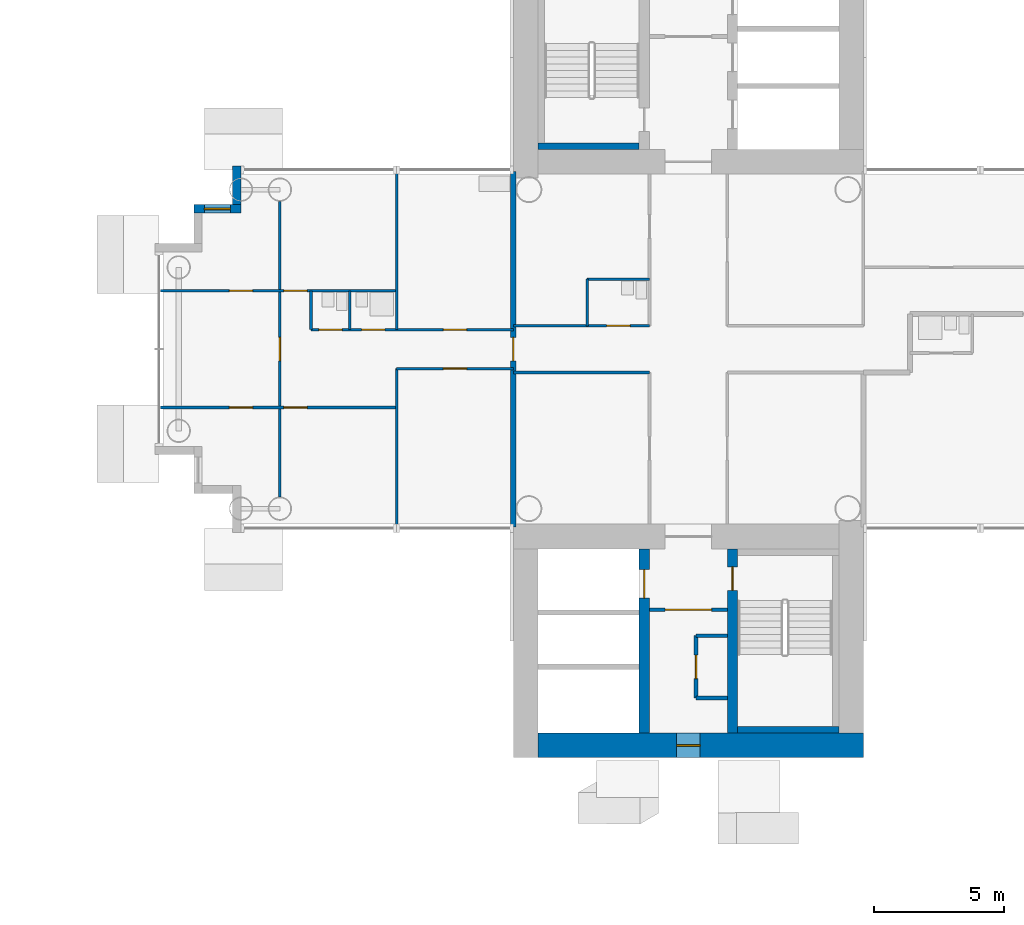
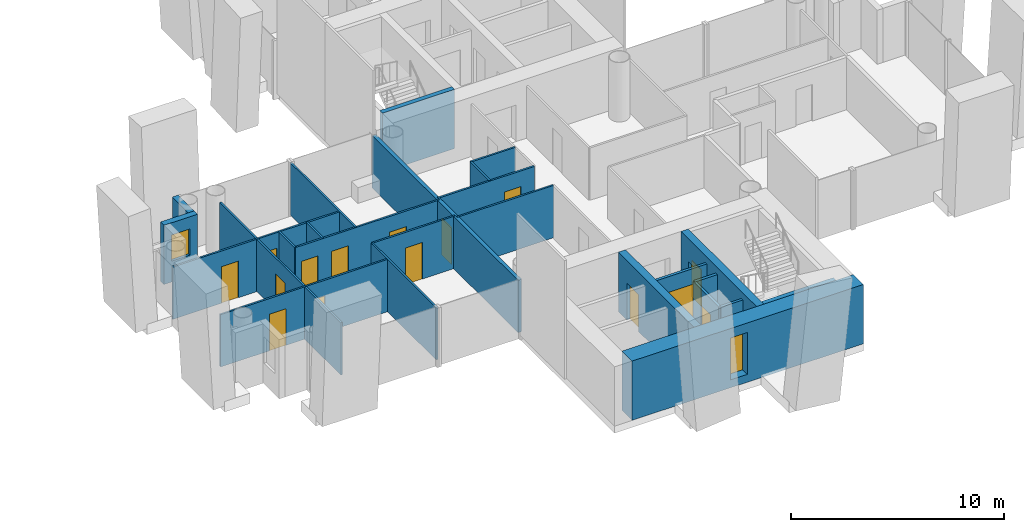
# One storey, part 12 of 21: 25 walls, 15 doors, 2 windows, 17 openings.
"""IFC4 building model written with IfcOpenShell, lengths in metres."""

from ifc_helpers import new_model, si_unit, direction, frame, frame_2d, origin, place, context, subcontext, project, spatial, rectangle, extrude, material, layer, layer_set, type_object, element, fill, save


model = new_model("IFC4")

# Units and contexts
model_context = context("Model", 3, precision=1e-05, world=origin(), true_north=direction((0.0, 1.0)))
body_context = subcontext(model_context, "Body", "Model", "MODEL_VIEW")
ifc_project = project(units=[si_unit("LENGTHUNIT", "METRE"), si_unit("AREAUNIT", "SQUARE_METRE"), si_unit("VOLUMEUNIT", "CUBIC_METRE"), si_unit("PLANEANGLEUNIT", "RADIAN"), si_unit("MASSUNIT", "GRAM", prefix="KILO")], contexts=[model_context])

# Site, building, storey
site_placement = place(None, origin())
site = spatial("IfcSite", under=ifc_project, at=site_placement, CompositionType="ELEMENT")
building_placement = place(site_placement, origin())
building = spatial("IfcBuilding", under=site, at=building_placement, Name="Ipe Terrace Towers", CompositionType="ELEMENT")
storey_placement = place(building_placement, frame((0.0, 0.0, 114.0)))
storey = spatial("IfcBuildingStorey", under=building, at=storey_placement, Name="L31", CompositionType="ELEMENT", Elevation=114.0)

# Wall
ifc_material_1 = material(Name="Concrete C40/50 with buff precast cladding", Category="concrete")
ifc_layer_1 = layer(ifc_material_1, 0.320068359375)
ifc_layer_set_1 = layer_set([ifc_layer_1], Name="BUFF CLADDING WALL 320")
wall_type_1 = type_object("IfcWallType", Name="BUFF CLADDING WALL 320", PredefinedType="STANDARD", material=ifc_layer_set_1)
wall_1_placement = place(storey_placement, frame((18.590087890625, 7.070068359375, -0.300048828125), z_axis=(0.0, 0.0, 1.0), x_axis=(0.0, -1.0, 0.0)))
element("IfcWall", 1, at=wall_1_placement, inside=storey, type_object=wall_type_1, Name="T2-W-L31-30a wall", PredefinedType="STANDARD", context=body_context, shape_type="SweptSolid", body=[
    extrude(rectangle(XDim=1.5, YDim=0.320068359375, at=frame_2d((0.75, 0.0))), origin(), (0.0, 0.0, 1.0), 3.400146484375),
])

# Wall, opening, window
wall_2_placement = place(storey_placement, frame((18.75, 5.409912109375, -0.300048828125), z_axis=(0.0, 0.0, 1.0), x_axis=(-1.0, 0.0, 0.0)))
wall_2 = element("IfcWall", 2, at=wall_2_placement, inside=storey, type_object=wall_type_1, Name="T2-W-L31-31a wall", PredefinedType="STANDARD", context=body_context, shape_type="SweptSolid", body=[
    extrude(rectangle(XDim=1.820068359375, YDim=0.320068359375, at=frame_2d((0.91015625, 0.0))), origin(), (0.0, 0.0, 1.0), 3.400146484375),
])
opening_1_placement = place(wall_2_placement, frame((0.409912109375, 0.0, 1.199951171875)))
opening_1 = element("IfcOpeningElement", 3, at=opening_1_placement, cuts=wall_2, Name="Opening T2-W-05-L31-02", PredefinedType="OPENING", context=body_context, shape_type="SweptSolid", body=[
    extrude(rectangle(XDim=1.0, YDim=1.5, at=frame_2d((0.5, 0.75))), frame((0.0, 0.169921875, 0.0), z_axis=(0.0, -1.0, 0.0), x_axis=(1.0, 0.0, 0.0)), (0.0, 0.0, 1.0), 0.340087890625),
])
ifc_material_2 = material(Name="Glass, clear laminated", Category="glass")
window_type_1 = type_object("IfcWindowType", Name="DWELLING WINDOW 1000 x 1500", PartitioningType="SINGLE_PANEL", PredefinedType="WINDOW", material=ifc_material_2)
window_1_placement = place(opening_1_placement, origin())
window_1 = element("IfcWindow", 4, at=window_1_placement, inside=storey, type_object=window_type_1, Name="W-05 window", OverallHeight=1.5, OverallWidth=1.0, PartitioningType="SINGLE_PANEL", PredefinedType="WINDOW", context=body_context, shape_type="SweptSolid", body=[
    extrude(rectangle(XDim=1.0, YDim=1.5, at=frame_2d((0.5, 0.75))), frame((0.0, 0.030029296875, 0.0), z_axis=(0.0, -1.0, 0.0), x_axis=(1.0, 0.0, 0.0)), (0.0, 0.0, 1.0), 0.06005859375),
])
fill(opening_1, window_1)

# Wall, openings, doors
ifc_material_3 = material(Name="Gypsum board partition", Category="plasterboard")
ifc_layer_2 = layer(ifc_material_3, 0.10009765625)
ifc_layer_set_2 = layer_set([ifc_layer_2], Name="Gypsum board partition 100 mm")
wall_type_2 = type_object("IfcWallType", Name="Gypsum board partition 100 mm", PredefinedType="PARTITIONING", material=ifc_layer_set_2)
wall_3_placement = place(storey_placement, frame((24.75, -2.25, 0.0), z_axis=(0.0, 0.0, 1.0), x_axis=(-1.0, 0.0, 0.0)))
wall_3 = element("IfcWall", 5, at=wall_3_placement, inside=storey, type_object=wall_type_2, Name="Gypsum board partition T2 L31 W01", PredefinedType="PARTITIONING", context=body_context, shape_type="SweptSolid", body=[
    extrude(rectangle(XDim=9.10009765625, YDim=0.10009765625, at=frame_2d((4.550048828125, 0.0))), origin(), (0.0, 0.0, 1.0), 3.0),
])
opening_2_placement = place(wall_3_placement, frame((3.449951171875, 0.0, 0.0)))
opening_2 = element("IfcOpeningElement", 6, at=opening_2_placement, cuts=wall_3, Name="Opening T2-Z2F-11", PredefinedType="OPENING", context=body_context, shape_type="SweptSolid", body=[
    extrude(rectangle(XDim=0.89990234375, YDim=2.10009765625, at=frame_2d((0.449951171875, 1.050048828125))), frame((0.0, 0.06005859375, 0.0), z_axis=(0.0, -1.0, 0.0), x_axis=(1.0, 0.0, 0.0)), (0.0, 0.0, 1.0), 0.1201171875),
])
opening_3_placement = place(wall_3_placement, frame((5.550048828125, 0.0, 0.0)))
opening_3 = element("IfcOpeningElement", 7, at=opening_3_placement, cuts=wall_3, Name="Opening T2-Z2F-14", PredefinedType="OPENING", context=body_context, shape_type="SweptSolid", body=[
    extrude(rectangle(XDim=0.89990234375, YDim=2.10009765625, at=frame_2d((0.449951171875, 1.050048828125))), frame((0.0, 0.06005859375, 0.0), z_axis=(0.0, -1.0, 0.0), x_axis=(1.0, 0.0, 0.0)), (0.0, 0.0, 1.0), 0.1201171875),
])
ifc_material_4 = material(Name="Timber door leaf", Category="wood")
door_type_1 = type_object("IfcDoorType", Name="Bedroom door 900 x 2100", OperationType="NOTDEFINED", PredefinedType="DOOR", material=ifc_material_4)
door_1_placement = place(opening_2_placement, origin())
door_1 = element("IfcDoor", 8, at=door_1_placement, inside=storey, type_object=door_type_1, Name="Bedroom door T2-Z2F-11", OperationType="SINGLE_SWING_RIGHT", OverallHeight=2.10009765625, OverallWidth=0.89990234375, PredefinedType="DOOR", context=body_context, shape_type="SweptSolid", body=[
    extrude(rectangle(XDim=0.89990234375, YDim=2.10009765625, at=frame_2d((0.449951171875, 1.050048828125))), frame((0.0, 0.02490234375, 0.0), z_axis=(0.0, -1.0, 0.0), x_axis=(1.0, 0.0, 0.0)), (0.0, 0.0, 1.0), 0.050048828125),
])
fill(opening_2, door_1)
door_2_placement = place(opening_3_placement, origin())
door_2 = element("IfcDoor", 9, at=door_2_placement, inside=storey, type_object=door_type_1, Name="Bedroom door T2-Z2F-14", OperationType="SINGLE_SWING_LEFT", OverallHeight=2.10009765625, OverallWidth=0.89990234375, PredefinedType="DOOR", context=body_context, shape_type="SweptSolid", body=[
    extrude(rectangle(XDim=0.89990234375, YDim=2.10009765625, at=frame_2d((0.449951171875, 1.050048828125))), frame((0.0, 0.02490234375, 0.0), z_axis=(0.0, -1.0, 0.0), x_axis=(1.0, 0.0, 0.0)), (0.0, 0.0, 1.0), 0.050048828125),
])
fill(opening_3, door_2)

# Wall
wall_4_placement = place(storey_placement, frame((34.5, -0.89990234375, 0.0), z_axis=(0.0, 0.0, 1.0), x_axis=(-1.0, 0.0, 0.0)))
element("IfcWall", 10, at=wall_4_placement, inside=storey, type_object=wall_type_2, Name="Gypsum board partition T2 L31 W03", PredefinedType="PARTITIONING", context=body_context, shape_type="SweptSolid", body=[
    extrude(rectangle(XDim=5.25, YDim=0.10009765625, at=frame_2d((2.625, 0.0))), origin(), (0.0, 0.0, 1.0), 3.0),
])

# Wall, opening, door
wall_5_placement = place(storey_placement, frame((29.25, -0.75, 0.0), z_axis=(0.0, 0.0, 1.0), x_axis=(-1.0, 0.0, 0.0)))
wall_5 = element("IfcWall", 11, at=wall_5_placement, inside=storey, type_object=wall_type_2, Name="Gypsum board partition T2 L31 W05", PredefinedType="PARTITIONING", context=body_context, shape_type="SweptSolid", body=[
    extrude(rectangle(XDim=4.5, YDim=0.10009765625, at=frame_2d((2.25, 0.0))), origin(), (0.0, 0.0, 1.0), 3.0),
])
opening_4_placement = place(wall_5_placement, frame((1.800048828125, 0.0, 0.0)))
opening_4 = element("IfcOpeningElement", 12, at=opening_4_placement, cuts=wall_5, Name="Opening T2-Z2F-06", PredefinedType="OPENING", context=body_context, shape_type="SweptSolid", body=[
    extrude(rectangle(XDim=0.89990234375, YDim=2.10009765625, at=frame_2d((0.449951171875, 1.050048828125))), frame((0.0, 0.06005859375, 0.0), z_axis=(0.0, -1.0, 0.0), x_axis=(1.0, 0.0, 0.0)), (0.0, 0.0, 1.0), 0.1201171875),
])
ifc_material_5 = material(Name="Timber door leaf", Category="wood")
door_type_2 = type_object("IfcDoorType", Name="Lounge door 900 x 2100", OperationType="NOTDEFINED", PredefinedType="DOOR", material=ifc_material_5)
door_3_placement = place(opening_4_placement, origin())
door_3 = element("IfcDoor", 13, at=door_3_placement, inside=storey, type_object=door_type_2, Name="Lounge door T2-Z2F-06", OperationType="SINGLE_SWING_LEFT", OverallHeight=2.10009765625, OverallWidth=0.89990234375, PredefinedType="DOOR", context=body_context, shape_type="SweptSolid", body=[
    extrude(rectangle(XDim=0.89990234375, YDim=2.10009765625, at=frame_2d((0.449951171875, 1.050048828125))), frame((0.0, 0.02490234375, 0.0), z_axis=(0.0, -1.0, 0.0), x_axis=(1.0, 0.0, 0.0)), (0.0, 0.0, 1.0), 0.050048828125),
])
fill(opening_4, door_3)

# Wall, openings, doors
wall_6_placement = place(storey_placement, frame((29.25, 0.75, 0.0), z_axis=(0.0, 0.0, 1.0), x_axis=(-1.0, 0.0, 0.0)))
wall_6 = element("IfcWall", 14, at=wall_6_placement, inside=storey, type_object=wall_type_2, Name="Gypsum board partition T2 L31 W07", PredefinedType="PARTITIONING", context=body_context, shape_type="SweptSolid", body=[
    extrude(rectangle(XDim=7.800048828125, YDim=0.10009765625, at=frame_2d((3.89990234375, 0.0))), origin(), (0.0, 0.0, 1.0), 3.0),
])
opening_5_placement = place(wall_6_placement, frame((1.800048828125, 0.0, 0.0)))
opening_5 = element("IfcOpeningElement", 15, at=opening_5_placement, cuts=wall_6, Name="Opening T2-Z2F-07", PredefinedType="OPENING", context=body_context, shape_type="SweptSolid", body=[
    extrude(rectangle(XDim=0.89990234375, YDim=2.10009765625, at=frame_2d((0.449951171875, 1.050048828125))), frame((0.0, 0.06005859375, 0.0), z_axis=(0.0, -1.0, 0.0), x_axis=(1.0, 0.0, 0.0)), (0.0, 0.0, 1.0), 0.1201171875),
])
opening_6_placement = place(wall_6_placement, frame((4.949951171875, 0.0, 0.0)))
opening_6 = element("IfcOpeningElement", 16, at=opening_6_placement, cuts=wall_6, Name="Opening T2-Z2F-09", PredefinedType="OPENING", context=body_context, shape_type="SweptSolid", body=[
    extrude(rectangle(XDim=0.89990234375, YDim=2.10009765625, at=frame_2d((0.449951171875, 1.050048828125))), frame((0.0, 0.06005859375, 0.0), z_axis=(0.0, -1.0, 0.0), x_axis=(1.0, 0.0, 0.0)), (0.0, 0.0, 1.0), 0.1201171875),
])
opening_7_placement = place(wall_6_placement, frame((6.60009765625, 0.0, 0.0)))
opening_7 = element("IfcOpeningElement", 17, at=opening_7_placement, cuts=wall_6, Name="Opening T2-Z2F-10", PredefinedType="OPENING", context=body_context, shape_type="SweptSolid", body=[
    extrude(rectangle(XDim=0.89990234375, YDim=2.10009765625, at=frame_2d((0.449951171875, 1.050048828125))), frame((0.0, 0.06005859375, 0.0), z_axis=(0.0, -1.0, 0.0), x_axis=(1.0, 0.0, 0.0)), (0.0, 0.0, 1.0), 0.1201171875),
])
ifc_material_6 = material(Name="Timber door leaf", Category="wood")
door_type_3 = type_object("IfcDoorType", Name="Bathroom door 900 x 2100", OperationType="NOTDEFINED", PredefinedType="DOOR", material=ifc_material_6)
door_4_placement = place(opening_6_placement, origin())
door_4 = element("IfcDoor", 18, at=door_4_placement, inside=storey, type_object=door_type_3, Name="Bathroom door T2-Z2F-09", OperationType="SINGLE_SWING_RIGHT", OverallHeight=2.10009765625, OverallWidth=0.89990234375, PredefinedType="DOOR", context=body_context, shape_type="SweptSolid", body=[
    extrude(rectangle(XDim=0.89990234375, YDim=2.10009765625, at=frame_2d((0.449951171875, 1.050048828125))), frame((0.0, 0.02490234375, 0.0), z_axis=(0.0, -1.0, 0.0), x_axis=(1.0, 0.0, 0.0)), (0.0, 0.0, 1.0), 0.050048828125),
])
fill(opening_6, door_4)
door_5_placement = place(opening_7_placement, origin())
door_5 = element("IfcDoor", 19, at=door_5_placement, inside=storey, type_object=door_type_3, Name="Bathroom door T2-Z2F-10", OperationType="SINGLE_SWING_RIGHT", OverallHeight=2.10009765625, OverallWidth=0.89990234375, PredefinedType="DOOR", context=body_context, shape_type="SweptSolid", body=[
    extrude(rectangle(XDim=0.89990234375, YDim=2.10009765625, at=frame_2d((0.449951171875, 1.050048828125))), frame((0.0, 0.02490234375, 0.0), z_axis=(0.0, -1.0, 0.0), x_axis=(1.0, 0.0, 0.0)), (0.0, 0.0, 1.0), 0.050048828125),
])
fill(opening_7, door_5)
door_6_placement = place(opening_5_placement, origin())
door_6 = element("IfcDoor", 20, at=door_6_placement, inside=storey, type_object=door_type_2, Name="Lounge door T2-Z2F-07", OperationType="SINGLE_SWING_LEFT", OverallHeight=2.10009765625, OverallWidth=0.89990234375, PredefinedType="DOOR", context=body_context, shape_type="SweptSolid", body=[
    extrude(rectangle(XDim=0.89990234375, YDim=2.10009765625, at=frame_2d((0.449951171875, 1.050048828125))), frame((0.0, 0.02490234375, 0.0), z_axis=(0.0, -1.0, 0.0), x_axis=(1.0, 0.0, 0.0)), (0.0, 0.0, 1.0), 0.050048828125),
])
fill(opening_5, door_6)

# Wall, opening, door
wall_7_placement = place(storey_placement, frame((34.5, 0.89990234375, 0.0), z_axis=(0.0, 0.0, 1.0), x_axis=(-1.0, 0.0, 0.0)))
wall_7 = element("IfcWall", 21, at=wall_7_placement, inside=storey, type_object=wall_type_2, Name="Gypsum board partition T2 L31 W09", PredefinedType="PARTITIONING", context=body_context, shape_type="SweptSolid", body=[
    extrude(rectangle(XDim=5.25, YDim=0.10009765625, at=frame_2d((2.625, 0.0))), origin(), (0.0, 0.0, 1.0), 3.0),
])
opening_8_placement = place(wall_7_placement, frame((0.75, 0.0, 0.0)))
opening_8 = element("IfcOpeningElement", 22, at=opening_8_placement, cuts=wall_7, Name="Opening T2-Z2F-01", PredefinedType="OPENING", context=body_context, shape_type="SweptSolid", body=[
    extrude(rectangle(XDim=0.89990234375, YDim=2.10009765625, at=frame_2d((0.449951171875, 1.050048828125))), frame((0.0, 0.06005859375, 0.0), z_axis=(0.0, -1.0, 0.0), x_axis=(1.0, 0.0, 0.0)), (0.0, 0.0, 1.0), 0.1201171875),
])
door_7_placement = place(opening_8_placement, origin())
door_7 = element("IfcDoor", 23, at=door_7_placement, inside=storey, type_object=door_type_3, Name="Bathroom door T2-Z2F-01", OperationType="SINGLE_SWING_LEFT", OverallHeight=2.10009765625, OverallWidth=0.89990234375, PredefinedType="DOOR", context=body_context, shape_type="SweptSolid", body=[
    extrude(rectangle(XDim=0.89990234375, YDim=2.10009765625, at=frame_2d((0.449951171875, 1.050048828125))), frame((0.0, 0.02490234375, 0.0), z_axis=(0.0, -1.0, 0.0), x_axis=(1.0, 0.0, 0.0)), (0.0, 0.0, 1.0), 0.050048828125),
])
fill(opening_8, door_7)

# Wall, openings, doors
wall_8_placement = place(storey_placement, frame((24.75, 2.25, 0.0), z_axis=(0.0, 0.0, 1.0), x_axis=(-1.0, 0.0, 0.0)))
wall_8 = element("IfcWall", 24, at=wall_8_placement, inside=storey, type_object=wall_type_2, Name="Gypsum board partition T2 L31 W11", PredefinedType="PARTITIONING", context=body_context, shape_type="SweptSolid", body=[
    extrude(rectangle(XDim=9.10009765625, YDim=0.10009765625, at=frame_2d((4.550048828125, 0.0))), origin(), (0.0, 0.0, 1.0), 3.0),
])
opening_9_placement = place(wall_8_placement, frame((3.449951171875, 0.0, 0.0)))
opening_9 = element("IfcOpeningElement", 25, at=opening_9_placement, cuts=wall_8, Name="Opening T2-Z2F-12", PredefinedType="OPENING", context=body_context, shape_type="SweptSolid", body=[
    extrude(rectangle(XDim=0.89990234375, YDim=2.10009765625, at=frame_2d((0.449951171875, 1.050048828125))), frame((0.0, 0.06005859375, 0.0), z_axis=(0.0, -1.0, 0.0), x_axis=(1.0, 0.0, 0.0)), (0.0, 0.0, 1.0), 0.1201171875),
])
opening_10_placement = place(wall_8_placement, frame((5.550048828125, 0.0, 0.0)))
opening_10 = element("IfcOpeningElement", 26, at=opening_10_placement, cuts=wall_8, Name="Opening T2-Z2F-15", PredefinedType="OPENING", context=body_context, shape_type="SweptSolid", body=[
    extrude(rectangle(XDim=0.89990234375, YDim=2.10009765625, at=frame_2d((0.449951171875, 1.050048828125))), frame((0.0, 0.06005859375, 0.0), z_axis=(0.0, -1.0, 0.0), x_axis=(1.0, 0.0, 0.0)), (0.0, 0.0, 1.0), 0.1201171875),
])
door_8_placement = place(opening_9_placement, origin())
door_8 = element("IfcDoor", 27, at=door_8_placement, inside=storey, type_object=door_type_1, Name="Bedroom door T2-Z2F-12", OperationType="SINGLE_SWING_LEFT", OverallHeight=2.10009765625, OverallWidth=0.89990234375, PredefinedType="DOOR", context=body_context, shape_type="SweptSolid", body=[
    extrude(rectangle(XDim=0.89990234375, YDim=2.10009765625, at=frame_2d((0.449951171875, 1.050048828125))), frame((0.0, 0.02490234375, 0.0), z_axis=(0.0, -1.0, 0.0), x_axis=(1.0, 0.0, 0.0)), (0.0, 0.0, 1.0), 0.050048828125),
])
fill(opening_9, door_8)
door_9_placement = place(opening_10_placement, origin())
door_9 = element("IfcDoor", 28, at=door_9_placement, inside=storey, type_object=door_type_1, Name="Bedroom door T2-Z2F-15", OperationType="SINGLE_SWING_RIGHT", OverallHeight=2.10009765625, OverallWidth=0.89990234375, PredefinedType="DOOR", context=body_context, shape_type="SweptSolid", body=[
    extrude(rectangle(XDim=0.89990234375, YDim=2.10009765625, at=frame_2d((0.449951171875, 1.050048828125))), frame((0.0, 0.02490234375, 0.0), z_axis=(0.0, -1.0, 0.0), x_axis=(1.0, 0.0, 0.0)), (0.0, 0.0, 1.0), 0.050048828125),
])
fill(opening_10, door_9)

# Walls
wall_9_placement = place(storey_placement, frame((34.5, 2.699951171875, 0.0), z_axis=(0.0, 0.0, 1.0), x_axis=(-1.0, 0.0, 0.0)))
element("IfcWall", 29, at=wall_9_placement, inside=storey, type_object=wall_type_2, Name="Gypsum board partition T2 L31 W12", PredefinedType="PARTITIONING", context=body_context, shape_type="SweptSolid", body=[
    extrude(rectangle(XDim=2.39990234375, YDim=0.10009765625, at=frame_2d((1.199951171875, 0.0))), origin(), (0.0, 0.0, 1.0), 3.0),
])
wall_10_placement = place(storey_placement, frame((32.10009765625, 0.89990234375, 0.0), z_axis=(0.0, 0.0, 1.0), x_axis=(0.0, 1.0, 0.0)))
element("IfcWall", 30, at=wall_10_placement, inside=storey, type_object=wall_type_2, Name="Gypsum board partition T2 L31 W33", PredefinedType="PARTITIONING", context=body_context, shape_type="SweptSolid", body=[
    extrude(rectangle(XDim=1.800048828125, YDim=0.10009765625, at=frame_2d((0.89990234375, 0.0))), origin(), (0.0, 0.0, 1.0), 3.0),
])
for number, where, z_axis, x_axis, name in (
    (31, (24.75, -6.85009765625, 0.0), (0.0, 0.0, 1.0), (0.0, 1.0, 0.0), "Gypsum board partition T2 L31 W35"),
    (32, (24.75, 0.75, 0.0), (0.0, 0.0, 1.0), (0.0, 1.0, 0.0), "Gypsum board partition T2 L31 W36"),
):
    element("IfcWall", number, at=place(storey_placement, frame(where, z_axis=z_axis, x_axis=x_axis)), inside=storey, type_object=wall_type_2, Name=name, PredefinedType="PARTITIONING", context=body_context, shape_type="SweptSolid", body=[
        extrude(rectangle(XDim=6.10009765625, YDim=0.10009765625, at=frame_2d((3.050048828125, 0.0))), origin(), (0.0, 0.0, 1.0), 3.0),
    ])
for number, where, z_axis, x_axis, name in (
    (33, (22.949951171875, 0.75, 0.0), (0.0, 0.0, 1.0), (0.0, 1.0, 0.0), "Gypsum board partition T2 L31 W37"),
    (34, (21.449951171875, 0.75, 0.0), (0.0, 0.0, 1.0), (0.0, 1.0, 0.0), "Gypsum board partition T2 L31 W38"),
):
    element("IfcWall", number, at=place(storey_placement, frame(where, z_axis=z_axis, x_axis=x_axis)), inside=storey, type_object=wall_type_2, Name=name, PredefinedType="PARTITIONING", context=body_context, shape_type="SweptSolid", body=[
        extrude(rectangle(XDim=1.5, YDim=0.10009765625, at=frame_2d((0.75, 0.0))), origin(), (0.0, 0.0, 1.0), 3.0),
    ])

# Wall, opening, door
wall_11_placement = place(storey_placement, frame((20.25, -5.699951171875, 0.0), z_axis=(0.0, 0.0, 1.0), x_axis=(0.0, 1.0, 0.0)))
wall_11 = element("IfcWall", 35, at=wall_11_placement, inside=storey, type_object=wall_type_2, Name="Gypsum board partition T2 L31 W39", PredefinedType="PARTITIONING", context=body_context, shape_type="SweptSolid", body=[
    extrude(rectangle(XDim=11.39990234375, YDim=0.10009765625, at=frame_2d((5.699951171875, 0.0))), origin(), (0.0, 0.0, 1.0), 3.0),
])
opening_11_placement = place(wall_11_placement, frame((5.25, 0.0, 0.0)))
opening_11 = element("IfcOpeningElement", 36, at=opening_11_placement, cuts=wall_11, Name="Opening T2-Z2F-13", PredefinedType="OPENING", context=body_context, shape_type="SweptSolid", body=[
    extrude(rectangle(XDim=0.89990234375, YDim=2.10009765625, at=frame_2d((0.449951171875, 1.050048828125))), frame((0.0, 0.06005859375, 0.0), z_axis=(0.0, -1.0, 0.0), x_axis=(1.0, 0.0, 0.0)), (0.0, 0.0, 1.0), 0.1201171875),
])
door_10_placement = place(opening_11_placement, origin())
door_10 = element("IfcDoor", 37, at=door_10_placement, inside=storey, type_object=door_type_2, Name="Lounge door T2-Z2F-13", OperationType="SINGLE_SWING_LEFT", OverallHeight=2.10009765625, OverallWidth=0.89990234375, PredefinedType="DOOR", context=body_context, shape_type="SweptSolid", body=[
    extrude(rectangle(XDim=0.89990234375, YDim=2.10009765625, at=frame_2d((0.449951171875, 1.050048828125))), frame((0.0, 0.02490234375, 0.0), z_axis=(0.0, -1.0, 0.0), x_axis=(1.0, 0.0, 0.0)), (0.0, 0.0, 1.0), 0.050048828125),
])
fill(opening_11, door_10)

ifc_material_7 = material(Name="Gypsum board partition", Category="plasterboard")
ifc_layer_3 = layer(ifc_material_7, 0.14990234375)
ifc_layer_set_3 = layer_set([ifc_layer_3], Name="Gypsum board partition 150 mm")
wall_type_3 = type_object("IfcWallType", Name="Gypsum board partition 150 mm", PredefinedType="PARTITIONING", material=ifc_layer_set_3)
wall_12_placement = place(storey_placement, frame((34.5, -10.050048828125, 0.0), z_axis=(0.0, 0.0, 1.0), x_axis=(1.0, 0.0, 0.0)))
wall_12 = element("IfcWall", 38, at=wall_12_placement, inside=storey, type_object=wall_type_3, Name="Gypsum board partition T2 L31 t2c2-lobby-wall", PredefinedType="PARTITIONING", context=body_context, shape_type="SweptSolid", body=[
    extrude(rectangle(XDim=3.0, YDim=0.14990234375, at=frame_2d((1.5, 0.0))), origin(), (0.0, 0.0, 1.0), 3.0),
])
opening_12_placement = place(wall_12_placement, frame((0.60009765625, 0.0, 0.0)))
opening_12 = element("IfcOpeningElement", 39, at=opening_12_placement, cuts=wall_12, Name="Opening T2C2-VD", PredefinedType="OPENING", context=body_context, shape_type="SweptSolid", body=[
    extrude(rectangle(XDim=1.800048828125, YDim=2.10009765625, at=frame_2d((0.89990234375, 1.050048828125))), frame((0.0, 0.0849609375, 0.0), z_axis=(0.0, -1.0, 0.0), x_axis=(1.0, 0.0, 0.0)), (0.0, 0.0, 1.0), 0.169921875),
])
ifc_material_8 = material(Name="Fire-rated timber door leaf", Category="wood")
door_type_4 = type_object("IfcDoorType", Name="Lobby door 1800 x 2100 FD60", OperationType="NOTDEFINED", PredefinedType="DOOR", material=ifc_material_8)
door_11_placement = place(opening_12_placement, origin())
door_11 = element("IfcDoor", 40, at=door_11_placement, inside=storey, type_object=door_type_4, Name="Lobby door T2C2-VD", OperationType="SINGLE_SWING_LEFT", OverallHeight=2.10009765625, OverallWidth=1.800048828125, PredefinedType="DOOR", context=body_context, shape_type="SweptSolid", body=[
    extrude(rectangle(XDim=1.800048828125, YDim=2.10009765625, at=frame_2d((0.89990234375, 1.050048828125))), frame((0.0, 0.02490234375, 0.0), z_axis=(0.0, -1.0, 0.0), x_axis=(1.0, 0.0, 0.0)), (0.0, 0.0, 1.0), 0.050048828125),
])
fill(opening_12, door_11)

wall_13_placement = place(storey_placement, frame((36.300048828125, -11.050048828125, 0.0), z_axis=(0.0, 0.0, 1.0), x_axis=(0.0, -1.0, 0.0)))
wall_13 = element("IfcWall", 41, at=wall_13_placement, inside=storey, type_object=wall_type_3, Name="Gypsum board partition T2 L31 t2c2-cup-n-f", PredefinedType="PARTITIONING", context=body_context, shape_type="SweptSolid", body=[
    extrude(rectangle(XDim=2.39990234375, YDim=0.14990234375, at=frame_2d((1.199951171875, 0.0))), origin(), (0.0, 0.0, 1.0), 3.0),
])
opening_13_placement = place(wall_13_placement, frame((0.75, 0.0, 0.0)))
opening_13 = element("IfcOpeningElement", 42, at=opening_13_placement, cuts=wall_13, Name="Opening T2C2-SR", PredefinedType="OPENING", context=body_context, shape_type="SweptSolid", body=[
    extrude(rectangle(XDim=0.89990234375, YDim=2.10009765625, at=frame_2d((0.449951171875, 1.050048828125))), frame((0.0, 0.0849609375, 0.0), z_axis=(0.0, -1.0, 0.0), x_axis=(1.0, 0.0, 0.0)), (0.0, 0.0, 1.0), 0.169921875),
])
ifc_material_9 = material(Name="Fire-rated timber door leaf", Category="wood")
door_type_5 = type_object("IfcDoorType", Name="Service door 900 x 2100 FD60", OperationType="NOTDEFINED", PredefinedType="DOOR", material=ifc_material_9)
door_12_placement = place(opening_13_placement, origin())
door_12 = element("IfcDoor", 43, at=door_12_placement, inside=storey, type_object=door_type_5, Name="Service door T2C2-SR", OperationType="SINGLE_SWING_LEFT", OverallHeight=2.10009765625, OverallWidth=0.89990234375, PredefinedType="DOOR", context=body_context, shape_type="SweptSolid", body=[
    extrude(rectangle(XDim=0.89990234375, YDim=2.10009765625, at=frame_2d((0.449951171875, 1.050048828125))), frame((0.0, 0.02490234375, 0.0), z_axis=(0.0, -1.0, 0.0), x_axis=(1.0, 0.0, 0.0)), (0.0, 0.0, 1.0), 0.050048828125),
])
fill(opening_13, door_12)

# Walls
for number, where, z_axis, x_axis, name in (
    (44, (36.300048828125, -11.050048828125, 0.0), (0.0, 0.0, 1.0), (1.0, 0.0, 0.0), "Gypsum board partition T2 L31 t2c2-cup-n-a"),
    (45, (36.300048828125, -13.449951171875, 0.0), (0.0, 0.0, 1.0), (1.0, 0.0, 0.0), "Gypsum board partition T2 L31 t2c2-cup-n-b"),
):
    element("IfcWall", number, at=place(storey_placement, frame(where, z_axis=z_axis, x_axis=x_axis)), inside=storey, type_object=wall_type_3, Name=name, PredefinedType="PARTITIONING", context=body_context, shape_type="SweptSolid", body=[
        extrude(rectangle(XDim=1.199951171875, YDim=0.14990234375, at=frame_2d((0.60009765625, 0.0))), origin(), (0.0, 0.0, 1.0), 3.0),
    ])

# Wall, opening, door
ifc_material_10 = material(Name="Gypsum board party wall", Category="plasterboard")
ifc_layer_4 = layer(ifc_material_10, 0.199951171875)
ifc_layer_set_4 = layer_set([ifc_layer_4], Name="Gypsum board party wall 200 mm")
wall_type_4 = type_object("IfcWallType", Name="Gypsum board party wall 200 mm", PredefinedType="SOLIDWALL", material=ifc_layer_set_4)
wall_14_placement = place(storey_placement, frame((29.25, -6.85009765625, 0.0), z_axis=(0.0, 0.0, 1.0), x_axis=(0.0, 1.0, 0.0)))
wall_14 = element("IfcWall", 46, at=wall_14_placement, inside=storey, type_object=wall_type_4, Name="Gypsum board party wall T2 L31 W34", PredefinedType="SOLIDWALL", context=body_context, shape_type="SweptSolid", body=[
    extrude(rectangle(XDim=13.7001953125, YDim=0.199951171875, at=frame_2d((6.85009765625, 0.0))), origin(), (0.0, 0.0, 1.0), 3.0),
])
opening_14_placement = place(wall_14_placement, frame((6.39990234375, 0.0, 0.0)))
opening_14 = element("IfcOpeningElement", 47, at=opening_14_placement, cuts=wall_14, Name="Opening T2-Z2F-08", PredefinedType="OPENING", context=body_context, shape_type="SweptSolid", body=[
    extrude(rectangle(XDim=0.89990234375, YDim=2.10009765625, at=frame_2d((0.449951171875, 1.050048828125))), frame((0.0, 0.10986328125, 0.0), z_axis=(0.0, -1.0, 0.0), x_axis=(1.0, 0.0, 0.0)), (0.0, 0.0, 1.0), 0.219970703125),
])
ifc_material_11 = material(Name="Fire-rated timber door leaf", Category="wood")
door_type_6 = type_object("IfcDoorType", Name="Flat entrance door 900 x 2100 FD30S", OperationType="NOTDEFINED", PredefinedType="DOOR", material=ifc_material_11)
door_13_placement = place(opening_14_placement, origin())
door_13 = element("IfcDoor", 48, at=door_13_placement, inside=storey, type_object=door_type_6, Name="Flat entrance door T2-Z2F-08", OperationType="SINGLE_SWING_LEFT", OverallHeight=2.10009765625, OverallWidth=0.89990234375, PredefinedType="DOOR", context=body_context, shape_type="SweptSolid", body=[
    extrude(rectangle(XDim=0.89990234375, YDim=2.10009765625, at=frame_2d((0.449951171875, 1.050048828125))), frame((0.0, 0.02490234375, 0.0), z_axis=(0.0, -1.0, 0.0), x_axis=(1.0, 0.0, 0.0)), (0.0, 0.0, 1.0), 0.050048828125),
])
fill(opening_14, door_13)

# Walls
ifc_material_12 = material(Name="Concrete C50/60", Category="concrete")
ifc_layer_5 = layer(ifc_material_12, 0.25)
ifc_layer_set_5 = layer_set([ifc_layer_5], Name="RW250 CORE INFILL WALL 250 C50-60")
wall_type_5 = type_object("IfcWallType", Name="RW250 CORE INFILL WALL 250 C50-60", PredefinedType="SHEAR", material=ifc_layer_set_5)
for number, where, z_axis, x_axis, name in (
    (49, (34.10009765625, 7.824951171875, 0.0), (0.0, 0.0, 1.0), (-1.0, 0.0, 0.0), "Core infill wall T2-C1-near"),
    (50, (37.89990234375, -14.675048828125, 0.0), (0.0, 0.0, 1.0), (1.0, 0.0, 0.0), "Core infill wall T2-C2-far"),
):
    element("IfcWall", number, at=place(storey_placement, frame(where, z_axis=z_axis, x_axis=x_axis)), inside=storey, type_object=wall_type_5, Name=name, PredefinedType="SHEAR", context=body_context, shape_type="SweptSolid", body=[
        extrude(rectangle(XDim=3.900146484375, YDim=0.25, at=frame_2d((1.9501953125, 0.0))), origin(), (0.0, 0.0, 1.0), 3.39990234375),
    ])

# Wall, opening, door
ifc_material_13 = material(Name="Concrete C50/60", Category="concrete")
ifc_layer_6 = layer(ifc_material_13, 0.39990234375)
ifc_layer_set_6 = layer_set([ifc_layer_6], Name="RW400 CORE SPINE WALL 400 C50-60")
wall_type_6 = type_object("IfcWallType", Name="RW400 CORE SPINE WALL 400 C50-60", PredefinedType="SHEAR", material=ifc_layer_set_6)
wall_15_placement = place(storey_placement, frame((34.300048828125, -14.800048828125, 0.0), z_axis=(0.0, 0.0, 1.0), x_axis=(0.0, 1.0, 0.0)))
wall_15 = element("IfcWall", 51, at=wall_15_placement, inside=storey, type_object=wall_type_6, Name="Core spine wall T2-C2-Z2-SW1", PredefinedType="SHEAR", context=body_context, shape_type="SweptSolid", body=[
    extrude(rectangle(XDim=7.10009765625, YDim=0.39990234375, at=frame_2d((3.550048828125, 0.0))), origin(), (0.0, 0.0, 1.0), 3.39990234375),
])
opening_15_placement = place(wall_15_placement, frame((5.199951171875, 0.0, 0.0)))
opening_15 = element("IfcOpeningElement", 52, at=opening_15_placement, cuts=wall_15, Name="Opening T2C2-LD1", PredefinedType="OPENING", context=body_context, shape_type="SweptSolid", body=[
    extrude(rectangle(XDim=1.10009765625, YDim=2.10009765625, at=frame_2d((0.550048828125, 1.050048828125))), frame((0.0, 0.2099609375, 0.0), z_axis=(0.0, -1.0, 0.0), x_axis=(1.0, 0.0, 0.0)), (0.0, 0.0, 1.0), 0.419921875),
])
ifc_material_14 = material(Name="Fire-rated timber door leaf", Category="wood")
door_type_7 = type_object("IfcDoorType", Name="Sliding door 1100 x 2100 FD60", OperationType="SLIDING_TO_LEFT", PredefinedType="DOOR", material=ifc_material_14)
door_14_placement = place(opening_15_placement, origin())
door_14 = element("IfcDoor", 53, at=door_14_placement, inside=storey, type_object=door_type_7, Name="Sliding door T2C2-LD1", OperationType="SLIDING_TO_LEFT", OverallHeight=2.10009765625, OverallWidth=1.10009765625, PredefinedType="DOOR", context=body_context, shape_type="SweptSolid", body=[
    extrude(rectangle(XDim=1.10009765625, YDim=2.10009765625, at=frame_2d((0.550048828125, 1.050048828125))), frame((0.0, 0.02490234375, 0.0), z_axis=(0.0, -1.0, 0.0), x_axis=(1.0, 0.0, 0.0)), (0.0, 0.0, 1.0), 0.050048828125),
])
fill(opening_15, door_14)

wall_16_placement = place(storey_placement, frame((37.699951171875, -14.800048828125, 0.0), z_axis=(0.0, 0.0, 1.0), x_axis=(0.0, 1.0, 0.0)))
wall_16 = element("IfcWall", 54, at=wall_16_placement, inside=storey, type_object=wall_type_6, Name="Core spine wall T2-C2-Z2-SW2", PredefinedType="SHEAR", context=body_context, shape_type="SweptSolid", body=[
    extrude(rectangle(XDim=7.10009765625, YDim=0.39990234375, at=frame_2d((3.550048828125, 0.0))), origin(), (0.0, 0.0, 1.0), 3.39990234375),
])
opening_16_placement = place(wall_16_placement, frame((5.5, 0.0, 0.0)))
opening_16 = element("IfcOpeningElement", 55, at=opening_16_placement, cuts=wall_16, Name="Opening T2C2-SD", PredefinedType="OPENING", context=body_context, shape_type="SweptSolid", body=[
    extrude(rectangle(XDim=0.89990234375, YDim=2.10009765625, at=frame_2d((0.449951171875, 1.050048828125))), frame((0.0, 0.2099609375, 0.0), z_axis=(0.0, -1.0, 0.0), x_axis=(1.0, 0.0, 0.0)), (0.0, 0.0, 1.0), 0.419921875),
])
ifc_material_15 = material(Name="Fire-rated timber door leaf", Category="wood")
door_type_8 = type_object("IfcDoorType", Name="Stair door 900 x 2100 FD60", OperationType="NOTDEFINED", PredefinedType="DOOR", material=ifc_material_15)
door_15_placement = place(opening_16_placement, origin())
door_15 = element("IfcDoor", 56, at=door_15_placement, inside=storey, type_object=door_type_8, Name="Stair door T2C2-SD", OperationType="SINGLE_SWING_RIGHT", OverallHeight=2.10009765625, OverallWidth=0.89990234375, PredefinedType="DOOR", context=body_context, shape_type="SweptSolid", body=[
    extrude(rectangle(XDim=0.89990234375, YDim=2.10009765625, at=frame_2d((0.449951171875, 1.050048828125))), frame((0.0, 0.02490234375, 0.0), z_axis=(0.0, -1.0, 0.0), x_axis=(1.0, 0.0, 0.0)), (0.0, 0.0, 1.0), 0.050048828125),
])
fill(opening_16, door_15)

# Wall, opening, window
ifc_material_16 = material(Name="Concrete C50/60", Category="concrete")
ifc_layer_7 = layer(ifc_material_16, 0.949951171875)
ifc_layer_set_7 = layer_set([ifc_layer_7], Name="RW950 CORE WALL 950 C50-60")
wall_type_7 = type_object("IfcWallType", Name="RW950 CORE WALL 950 C50-60", PredefinedType="SHEAR", material=ifc_layer_set_7)
wall_17_placement = place(storey_placement, frame((30.199951171875, -15.27490234375, 0.0), z_axis=(0.0, 0.0, 1.0), x_axis=(1.0, 0.0, 0.0)))
wall_17 = element("IfcWall", 57, at=wall_17_placement, inside=storey, type_object=wall_type_7, Name="Core wall T2-C2-Z2-W01", PredefinedType="SHEAR", context=body_context, shape_type="SweptSolid", body=[
    extrude(rectangle(XDim=12.550048828125, YDim=0.949951171875, at=frame_2d((6.27490234375, 0.0))), origin(), (0.0, 0.0, 1.0), 3.39990234375),
])
opening_17_placement = place(wall_17_placement, frame((5.35009765625, 0.0, 0.449951171875)))
opening_17 = element("IfcOpeningElement", 58, at=opening_17_placement, cuts=wall_17, Name="Opening T2-C2-W-01-L31", PredefinedType="OPENING", context=body_context, shape_type="SweptSolid", body=[
    extrude(rectangle(XDim=0.89990234375, YDim=2.39990234375, at=frame_2d((0.449951171875, 1.199951171875))), frame((0.0, 0.48486328125, 0.0), z_axis=(0.0, -1.0, 0.0), x_axis=(1.0, 0.0, 0.0)), (0.0, 0.0, 1.0), 0.969970703125),
])
ifc_material_17 = material(Name="Fire-resistant glazing EI 60", Category="glass")
window_type_2 = type_object("IfcWindowType", Name="CORRIDOR END SLOT WINDOW 900 x 2400 EI 60", PartitioningType="SINGLE_PANEL", PredefinedType="WINDOW", material=ifc_material_17)
window_2_placement = place(opening_17_placement, origin())
window_2 = element("IfcWindow", 59, at=window_2_placement, inside=storey, type_object=window_type_2, Name="W-01 window", OverallHeight=2.39990234375, OverallWidth=0.89990234375, PartitioningType="SINGLE_PANEL", PredefinedType="WINDOW", context=body_context, shape_type="SweptSolid", body=[
    extrude(rectangle(XDim=0.89990234375, YDim=2.39990234375, at=frame_2d((0.449951171875, 1.199951171875))), frame((0.0, 0.030029296875, 0.0), z_axis=(0.0, -1.0, 0.0), x_axis=(1.0, 0.0, 0.0)), (0.0, 0.0, 1.0), 0.06005859375),
])
fill(opening_17, window_2)

save(model, "model.ifc")
